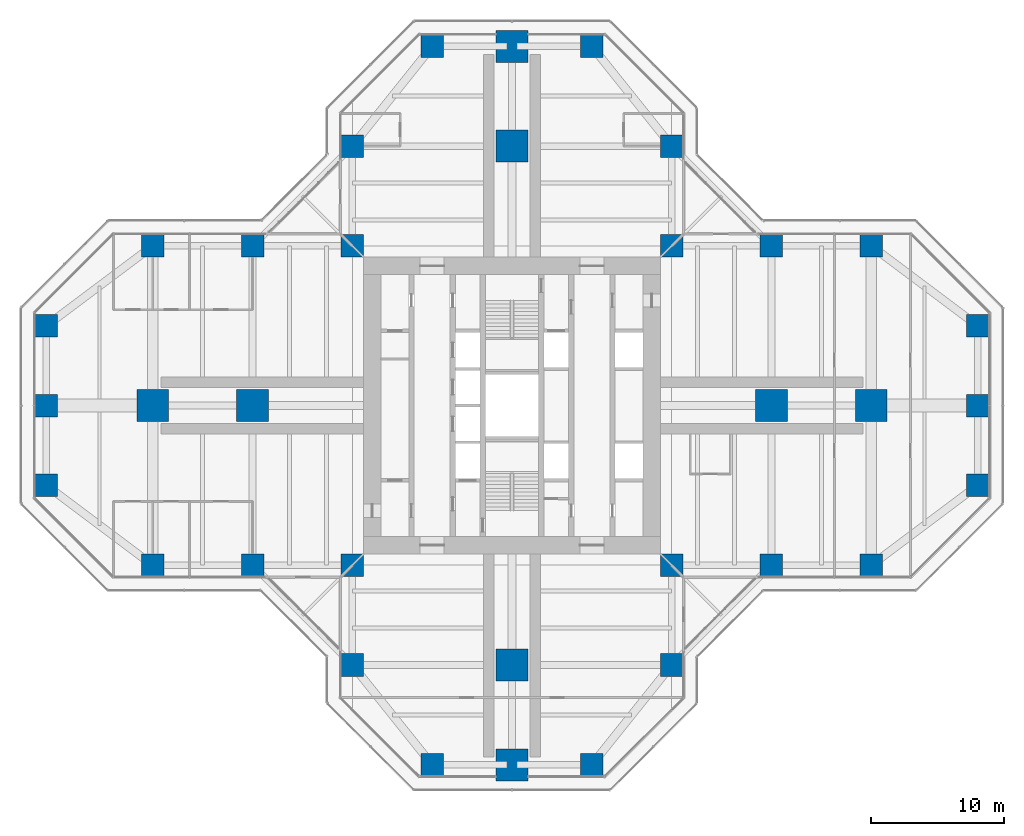
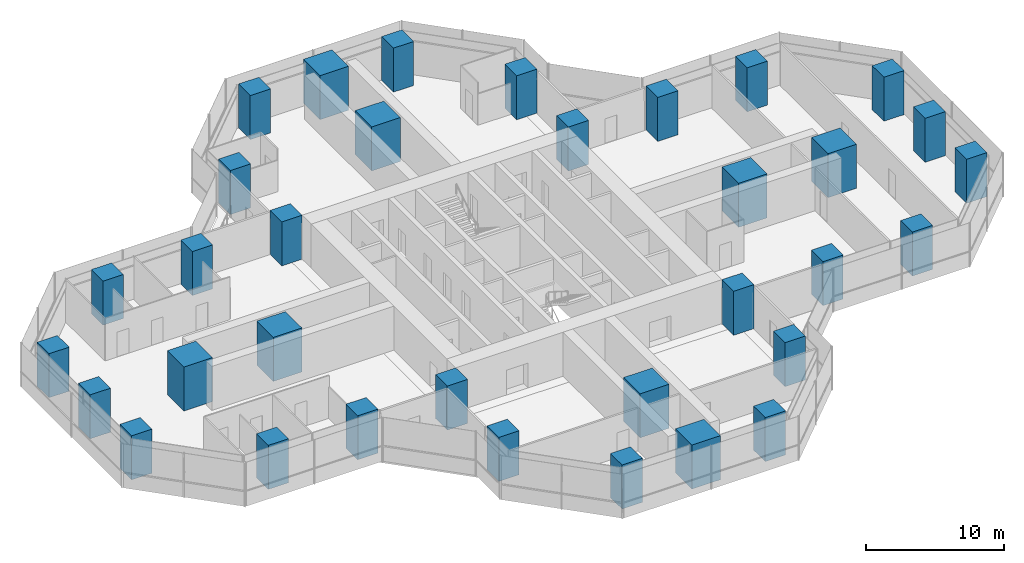
# One storey, part 1 of 20: 34 columns.
"""IFC4 building model written with IfcOpenShell, lengths in metres."""

from ifc_helpers import new_model, si_unit, direction, frame, origin, origin_2d, place, context, subcontext, project, spatial, rectangle, extrude, material, material_profile, profile_set, type_object, element, save


model = new_model("IFC4")

# Units and contexts
model_context = context("Model", 3, precision=1e-05, world=origin(), true_north=direction((0.0, 1.0)))
body_context = subcontext(model_context, "Body", "Model", "MODEL_VIEW")
ifc_project = project(units=[si_unit("LENGTHUNIT", "METRE"), si_unit("AREAUNIT", "SQUARE_METRE"), si_unit("VOLUMEUNIT", "CUBIC_METRE"), si_unit("PLANEANGLEUNIT", "RADIAN"), si_unit("MASSUNIT", "GRAM", prefix="KILO")], contexts=[model_context])

# Site, building, storey
site_placement = place(None, origin())
site = spatial("IfcSite", under=ifc_project, at=site_placement, CompositionType="ELEMENT")
building_placement = place(site_placement, origin())
building = spatial("IfcBuilding", under=site, at=building_placement, Name="Mizan Broadcast Tower", CompositionType="ELEMENT")
storey_placement = place(building_placement, frame((0.0, 0.0, 178.800048828125)))
storey = spatial("IfcBuildingStorey", under=building, at=storey_placement, Name="L41", CompositionType="ELEMENT", Elevation=178.800048828125)

# Columns
ifc_material_1 = material(Name="Concrete C70/85", Category="concrete")
ifc_material_profile_1 = material_profile(ifc_material_1, rectangle(XDim=1.699951171875, YDim=1.699951171875, at=origin_2d()), Name="RC 1700x1700")
ifc_profile_set_1 = profile_set([ifc_material_profile_1], Name="Concrete C70/85")
column_type_1 = type_object("IfcColumnType", Name="RC COLUMN 1700x1700 C70/85", PredefinedType="COLUMN", material=ifc_profile_set_1)
for number, where, z_axis, x_axis, name in (
    (1, (-6.0, -27.0, 0.0), (0.0, 0.0, 1.0), (1.0, 0.0, 0.0), "Column 5/B L41"),
    (2, (6.0, -27.0, 0.0), (0.0, 0.0, 1.0), (1.0, 0.0, 0.0), "Column 7/B L41"),
    (3, (-12.0, -19.5, 0.0), (0.0, 0.0, 1.0), (1.0, 0.0, 0.0), "Column 4/C L41"),
    (4, (12.0, -19.5, 0.0), (0.0, 0.0, 1.0), (1.0, 0.0, 0.0), "Column 8/C L41"),
    (5, (-27.0, -12.0, 0.0), (0.0, 0.0, 1.0), (1.0, 0.0, 0.0), "Column 2/D L41"),
    (6, (-19.5, -12.0, 0.0), (0.0, 0.0, 1.0), (1.0, 0.0, 0.0), "Column 3/D L41"),
    (7, (-12.0, -12.0, 0.0), (0.0, 0.0, 1.0), (1.0, 0.0, 0.0), "Column 4/D L41"),
    (8, (12.0, -12.0, 0.0), (0.0, 0.0, 1.0), (1.0, 0.0, 0.0), "Column 8/D L41"),
    (9, (19.5, -12.0, 0.0), (0.0, 0.0, 1.0), (1.0, 0.0, 0.0), "Column 9/D L41"),
    (10, (27.0, -12.0, 0.0), (0.0, 0.0, 1.0), (1.0, 0.0, 0.0), "Column 10/D L41"),
    (11, (-35.0, -6.0, 0.0), (0.0, 0.0, 1.0), (1.0, 0.0, 0.0), "Column 1/E L41"),
    (12, (35.0, -6.0, 0.0), (0.0, 0.0, 1.0), (1.0, 0.0, 0.0), "Column 11/E L41"),
    (13, (-35.0, 0.0, 0.0), (0.0, 0.0, 1.0), (1.0, 0.0, 0.0), "Column 1/F L41"),
    (14, (35.0, 0.0, 0.0), (0.0, 0.0, 1.0), (1.0, 0.0, 0.0), "Column 11/F L41"),
    (15, (-35.0, 6.0, 0.0), (0.0, 0.0, 1.0), (1.0, 0.0, 0.0), "Column 1/G L41"),
    (16, (35.0, 6.0, 0.0), (0.0, 0.0, 1.0), (1.0, 0.0, 0.0), "Column 11/G L41"),
    (17, (-27.0, 12.0, 0.0), (0.0, 0.0, 1.0), (1.0, 0.0, 0.0), "Column 2/H L41"),
    (18, (-19.5, 12.0, 0.0), (0.0, 0.0, 1.0), (1.0, 0.0, 0.0), "Column 3/H L41"),
    (19, (-12.0, 12.0, 0.0), (0.0, 0.0, 1.0), (1.0, 0.0, 0.0), "Column 4/H L41"),
    (20, (12.0, 12.0, 0.0), (0.0, 0.0, 1.0), (1.0, 0.0, 0.0), "Column 8/H L41"),
    (21, (19.5, 12.0, 0.0), (0.0, 0.0, 1.0), (1.0, 0.0, 0.0), "Column 9/H L41"),
    (22, (27.0, 12.0, 0.0), (0.0, 0.0, 1.0), (1.0, 0.0, 0.0), "Column 10/H L41"),
    (23, (-12.0, 19.5, 0.0), (0.0, 0.0, 1.0), (1.0, 0.0, 0.0), "Column 4/J L41"),
    (24, (12.0, 19.5, 0.0), (0.0, 0.0, 1.0), (1.0, 0.0, 0.0), "Column 8/J L41"),
    (25, (-6.0, 27.0, 0.0), (0.0, 0.0, 1.0), (1.0, 0.0, 0.0), "Column 5/K L41"),
    (26, (6.0, 27.0, 0.0), (0.0, 0.0, 1.0), (1.0, 0.0, 0.0), "Column 7/K L41"),
):
    element("IfcColumn", number, at=place(storey_placement, frame(where, z_axis=z_axis, x_axis=x_axis)), inside=storey, type_object=column_type_1, Name=name, PredefinedType="COLUMN", context=body_context, shape_type="SweptSolid", body=[
        extrude(rectangle(XDim=1.699951171875, YDim=1.699951171875, at=origin_2d()), origin(), (0.0, 0.0, 1.0), 3.89990234375),
    ])
ifc_material_2 = material(Name="Concrete C70/85", Category="concrete")
ifc_material_profile_2 = material_profile(ifc_material_2, rectangle(XDim=2.39990234375, YDim=2.39990234375, at=origin_2d()), Name="RC 2400x2400")
ifc_profile_set_2 = profile_set([ifc_material_profile_2], Name="Concrete C70/85")
column_type_2 = type_object("IfcColumnType", Name="RC COLUMN 2400x2400 C70/85", PredefinedType="COLUMN", material=ifc_profile_set_2)
for number, where, z_axis, x_axis, name in (
    (27, (0.0, -27.0, 0.0), (0.0, 0.0, 1.0), (1.0, 0.0, 0.0), "Column 6/B L41"),
    (28, (0.0, -19.5, 0.0), (0.0, 0.0, 1.0), (1.0, 0.0, 0.0), "Column 6/C L41"),
    (29, (-27.0, 0.0, 0.0), (0.0, 0.0, 1.0), (1.0, 0.0, 0.0), "Column 2/F L41"),
    (30, (-19.5, 0.0, 0.0), (0.0, 0.0, 1.0), (1.0, 0.0, 0.0), "Column 3/F L41"),
    (31, (19.5, 0.0, 0.0), (0.0, 0.0, 1.0), (1.0, 0.0, 0.0), "Column 9/F L41"),
    (32, (27.0, 0.0, 0.0), (0.0, 0.0, 1.0), (1.0, 0.0, 0.0), "Column 10/F L41"),
    (33, (0.0, 19.5, 0.0), (0.0, 0.0, 1.0), (1.0, 0.0, 0.0), "Column 6/J L41"),
    (34, (0.0, 27.0, 0.0), (0.0, 0.0, 1.0), (1.0, 0.0, 0.0), "Column 6/K L41"),
):
    element("IfcColumn", number, at=place(storey_placement, frame(where, z_axis=z_axis, x_axis=x_axis)), inside=storey, type_object=column_type_2, Name=name, PredefinedType="COLUMN", context=body_context, shape_type="SweptSolid", body=[
        extrude(rectangle(XDim=2.39990234375, YDim=2.39990234375, at=origin_2d()), origin(), (0.0, 0.0, 1.0), 3.89990234375),
    ])

save(model, "model.ifc")
